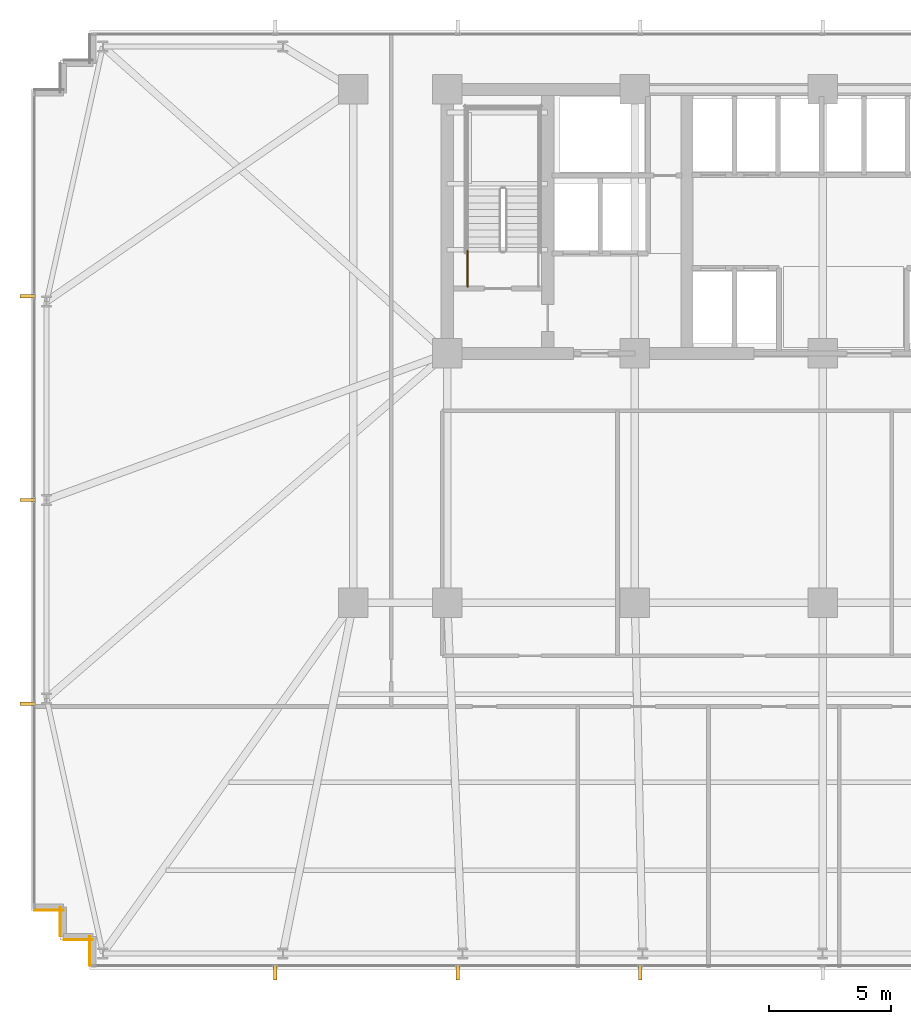
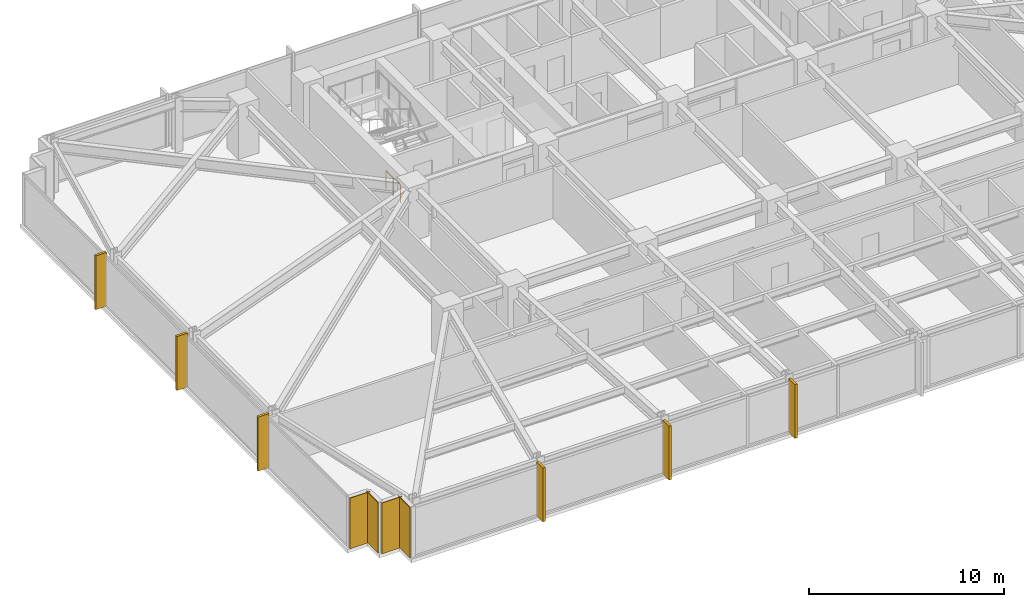
# One storey, part 27 of 33: 6 shading devices, 4 coverings, 1 railing.
"""IFC4 building model written with IfcOpenShell, lengths in metres."""

from ifc_helpers import new_model, si_unit, direction, frame, frame_2d, origin, origin_2d, place, context, subcontext, project, spatial, rectangle, circle, extrude, material, layer, layer_set, type_object, element, save


model = new_model("IFC4")

# Units and contexts
model_context = context("Model", 3, precision=1e-05, world=origin(), true_north=direction((0.0, 1.0)))
body_context = subcontext(model_context, "Body", "Model", "MODEL_VIEW")
ifc_project = project(units=[si_unit("LENGTHUNIT", "METRE"), si_unit("AREAUNIT", "SQUARE_METRE"), si_unit("VOLUMEUNIT", "CUBIC_METRE"), si_unit("PLANEANGLEUNIT", "RADIAN"), si_unit("MASSUNIT", "GRAM", prefix="KILO")], contexts=[model_context])

# Site, building, storey
site_placement = place(None, origin())
site = spatial("IfcSite", under=ifc_project, at=site_placement, CompositionType="ELEMENT")
building_placement = place(site_placement, origin())
building = spatial("IfcBuilding", under=site, at=building_placement, Name="Yelkora Congress Tower", CompositionType="ELEMENT")
storey_placement = place(building_placement, frame((0.0, 0.0, 37.199951171875)))
storey = spatial("IfcBuildingStorey", under=building, at=storey_placement, Name="L08", CompositionType="ELEMENT", Elevation=37.199951171875)

# Coverings
ifc_material_1 = material(Name="Anatolian bush-hammered limestone", Category="masonry")
ifc_layer_1 = layer(ifc_material_1, 0.0400390625)
ifc_layer_set_1 = layer_set([ifc_layer_1], Name="Anatolian bush-hammered limestone")
covering_type = type_object("IfcCoveringType", Name="COV-CLAD-SPANDREL-40", PredefinedType="CLADDING", material=ifc_layer_set_1)
for number, where, z_axis, x_axis, name in (
    (1, (8.405029296875, 10.340087890625, 0.0), (0.0, 0.0, 1.0), (0.0, 1.0, 0.0), "L08 Anatolian Limestone Cladding EW-L08-SR01"),
    (2, (8.5400390625, 11.405029296875, 0.0), (0.0, 0.0, 1.0), (-1.0, 0.0, 0.0), "L08 Anatolian Limestone Cladding EW-L08-SR02"),
    (3, (7.205078125, 11.5400390625, 0.0), (0.0, 0.0, 1.0), (0.0, 1.0, 0.0), "L08 Anatolian Limestone Cladding EW-L08-SR03"),
):
    element("IfcCovering", number, at=place(storey_placement, frame(where, z_axis=z_axis, x_axis=x_axis)), inside=storey, type_object=covering_type, Name=name, PredefinedType="CLADDING", context=body_context, shape_type="SweptSolid", body=[
        extrude(rectangle(XDim=1.199951171875, YDim=0.0400390625, at=frame_2d((0.60009765625, 0.0))), origin(), (0.0, 0.0, 1.0), 3.179931640625),
    ])
covering_placement = place(storey_placement, frame((7.340087890625, 12.60498046875, 0.0), z_axis=(0.0, 0.0, 1.0), x_axis=(-1.0, 0.0, 0.0)))
element("IfcCovering", 4, at=covering_placement, inside=storey, type_object=covering_type, Name="L08 Anatolian Limestone Cladding EW-L08-SR04", PredefinedType="CLADDING", context=body_context, shape_type="SweptSolid", body=[
    extrude(rectangle(XDim=1.2001953125, YDim=0.0400390625, at=frame_2d((0.60009765625, 0.0))), origin(), (0.0, 0.0, 1.0), 3.179931640625),
])

# Railing
ifc_material_2 = material(Name="Painted galvanised steel stair well guard with vertical infill", Category="steel")
ifc_layer_2 = layer(ifc_material_2, 0.06005859375)
ifc_layer_set_2 = layer_set([ifc_layer_2], Name="Painted galvanised steel stair well guard with vertical infill")
railing_type = type_object("IfcRailingType", Name="RAIL-STAIR-GUARD-1120", PredefinedType="GUARDRAIL", material=ifc_layer_set_2)
railing_placement = place(storey_placement, frame((23.8701171875, 38.1201171875, 0.0)))
element("IfcRailing", 5, at=railing_placement, inside=storey, type_object=railing_type, Name="ST-01 L08 Stair Well Guardrail 9", PredefinedType="GUARDRAIL", context=body_context, shape_type="SweptSolid", body=[
    extrude(circle(Radius=0.02392578125, at=origin_2d()), frame((0.0, 0.0, 1.09619140625), z_axis=(0.0, 1.0, 0.0), x_axis=(-1.0, 0.0, 0.0)), (0.0, 0.0, 1.0), 1.47998046875),
    extrude(circle(Radius=0.02099609375, at=origin_2d()), origin(), (0.0, 0.0, 1.0), 1.072021484375),
    extrude(circle(Radius=0.02099609375, at=origin_2d()), frame((0.0, 0.739990234375, 0.0)), (0.0, 0.0, 1.0), 1.072021484375),
    extrude(circle(Radius=0.02099609375, at=origin_2d()), frame((0.0, 1.47998046875, 0.0)), (0.0, 0.0, 1.0), 1.072021484375),
])

# Shading devices
ifc_material_3 = material(Name="Champagne anodised aluminium", Category="aluminium")
ifc_layer_3 = layer(ifc_material_3, 3.39990234375)
ifc_layer_set_3 = layer_set([ifc_layer_3], Name="Champagne anodised aluminium")
shading_device_type = type_object("IfcShadingDeviceType", Name="SHD-FIN-ALU-640", PredefinedType="USERDEFINED", material=ifc_layer_set_3)
for number, where, z_axis, x_axis, name in (
    (6, (5.8798828125, 21.070068359375, -0.02978515625), (0.0, 0.0, 1.0), (0.0, 1.0, 0.0), "L08 Vertical Anodised Solar Fin 5-1"),
    (7, (5.8798828125, 29.39990234375, -0.02978515625), (0.0, 0.0, 1.0), (0.0, 1.0, 0.0), "L08 Vertical Anodised Solar Fin 5-2"),
    (8, (5.8798828125, 37.72998046875, -0.02978515625), (0.0, 0.0, 1.0), (0.0, 1.0, 0.0), "L08 Vertical Anodised Solar Fin 5-3"),
    (9, (30.93505859375, 10.080078125, -0.02978515625), (0.0, 0.0, 1.0), (-1.0, 0.0, 0.0), "L08 Vertical Anodised Solar Fin 20-5"),
    (10, (23.469970703125, 10.080078125, -0.02978515625), (0.0, 0.0, 1.0), (-1.0, 0.0, 0.0), "L08 Vertical Anodised Solar Fin 20-6"),
    (11, (16.0048828125, 10.080078125, -0.02978515625), (0.0, 0.0, 1.0), (-1.0, 0.0, 0.0), "L08 Vertical Anodised Solar Fin 20-7"),
):
    element("IfcShadingDevice", number, at=place(storey_placement, frame(where, z_axis=z_axis, x_axis=x_axis)), inside=storey, type_object=shading_device_type, Name=name, ObjectType="FIN", PredefinedType="USERDEFINED", context=body_context, shape_type="SweptSolid", body=[
        extrude(rectangle(XDim=0.139892578125, YDim=0.639892578125, at=origin_2d()), origin(), (0.0, 0.0, 1.0), 3.3798828125),
    ])

save(model, "model.ifc")
